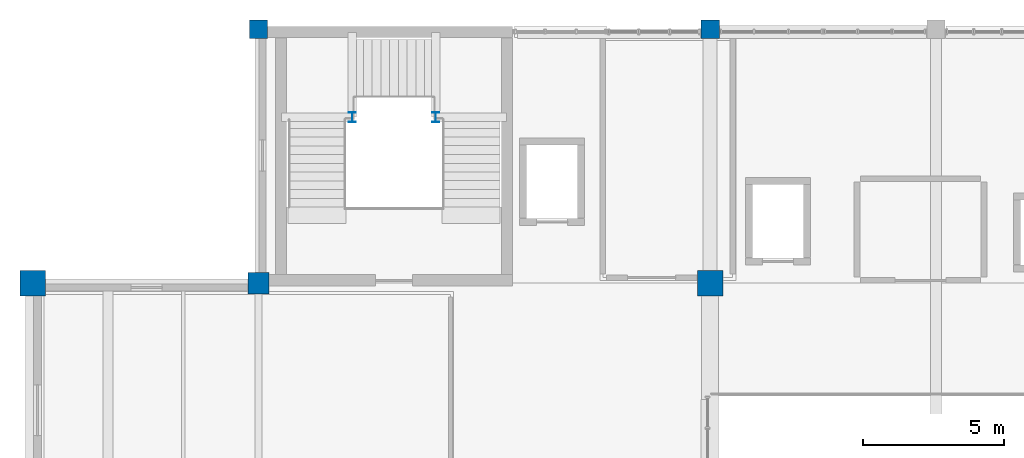
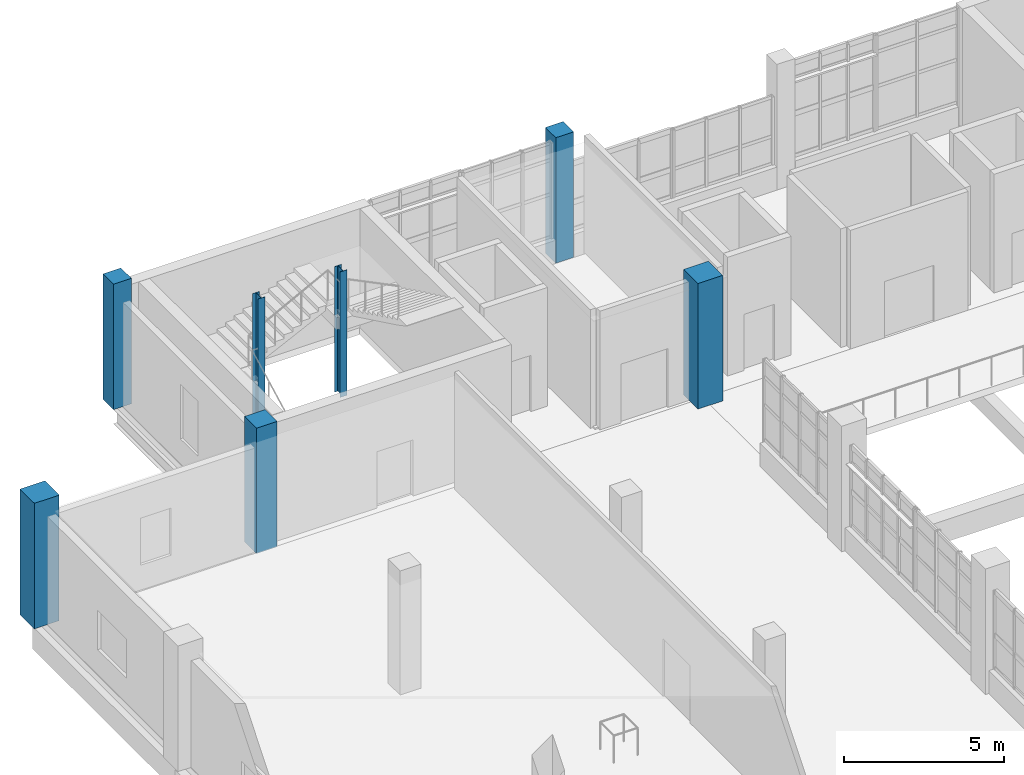
# One storey, part 8 of 102: 7 columns.
"""IFC4 building model written with IfcOpenShell, lengths in metres."""

from ifc_helpers import new_model, si_unit, derived_unit, direction, frame, origin, origin_2d, place, context, subcontext, project, spatial, rectangle, i_section, extrude, material, material_profile, profile_set, type_object, element, save


model = new_model("IFC4")

# Units and contexts
model_context = context("Model", 3, precision=1e-05, world=origin(), true_north=direction((0.0, 1.0)))
body_context = subcontext(model_context, "Body", "Model", "MODEL_VIEW")
ifc_project = project(units=[si_unit("LENGTHUNIT", "METRE"), si_unit("AREAUNIT", "SQUARE_METRE"), si_unit("VOLUMEUNIT", "CUBIC_METRE"), si_unit("PLANEANGLEUNIT", "RADIAN"), si_unit("MASSUNIT", "GRAM", prefix="KILO"), derived_unit("THERMALTRANSMITTANCEUNIT", [(si_unit("POWERUNIT", "WATT"), 1), (si_unit("LENGTHUNIT", "METRE"), -2), (si_unit("THERMODYNAMICTEMPERATUREUNIT", "KELVIN"), -1)])], contexts=[model_context])

# Site, building, storey
site_placement = place(None, origin())
site = spatial("IfcSite", under=ifc_project, at=site_placement, CompositionType="ELEMENT")
building_placement = place(site_placement, origin())
building = spatial("IfcBuilding", under=site, at=building_placement, Name="Nallur Shell Playhouse", CompositionType="ELEMENT")
storey_placement = place(building_placement, frame((0.0, 0.0, 15.0)))
storey = spatial("IfcBuildingStorey", under=building, at=storey_placement, Name="L04", CompositionType="ELEMENT", Elevation=15.0)

# Columns
ifc_material_1 = material(Name="Concrete M35", Category="concrete")
ifc_material_profile_1 = material_profile(ifc_material_1, rectangle(XDim=0.64990234375, YDim=0.64990234375, at=origin_2d()), Name="RC 650x650")
ifc_profile_set_1 = profile_set([ifc_material_profile_1], Name="Concrete M35")
column_type_1 = type_object("IfcColumnType", Name="CL-RC-650", PredefinedType="COLUMN", material=ifc_profile_set_1)
for number, where, z_axis, x_axis, name in (
    (1, (24.0, 83.0, 0.0), (0.0, 0.0, 1.0), (1.0, 0.0, 0.0), "Column 3-K (L04)"),
    (2, (40.0, 83.0, 0.0), (0.0, 0.0, 1.0), (1.0, 0.0, 0.0), "Column 5-K (L04)"),
):
    element("IfcColumn", number, at=place(storey_placement, frame(where, z_axis=z_axis, x_axis=x_axis)), inside=storey, type_object=column_type_1, Name=name, PredefinedType="COLUMN", context=body_context, shape_type="SweptSolid", body=[
        extrude(rectangle(XDim=0.64990234375, YDim=0.64990234375, at=origin_2d()), origin(), (0.0, 0.0, 1.0), 4.800048828125),
    ])
ifc_material_2 = material(Name="Concrete M40", Category="concrete")
ifc_material_profile_2 = material_profile(ifc_material_2, rectangle(XDim=0.75, YDim=0.75, at=origin_2d()), Name="RC 750x750")
ifc_profile_set_2 = profile_set([ifc_material_profile_2], Name="Concrete M40")
column_type_2 = type_object("IfcColumnType", Name="CL-RC-750", PredefinedType="COLUMN", material=ifc_profile_set_2)
column_placement = place(storey_placement, frame((24.0, 74.0, 0.0), z_axis=(0.0, 0.0, 1.0), x_axis=(1.0, 0.0, 0.0)))
element("IfcColumn", 3, at=column_placement, inside=storey, type_object=column_type_2, Name="Column 3-J (L04)", PredefinedType="COLUMN", context=body_context, shape_type="SweptSolid", body=[
    extrude(rectangle(XDim=0.75, YDim=0.75, at=origin_2d()), origin(), (0.0, 0.0, 1.0), 4.800048828125),
])
ifc_material_profile_3 = material_profile(ifc_material_2, rectangle(XDim=0.89990234375, YDim=0.89990234375, at=origin_2d()), Name="RC 900x900")
ifc_profile_set_3 = profile_set([ifc_material_profile_3], Name="Concrete M40")
column_type_3 = type_object("IfcColumnType", Name="CL-RC-900", PredefinedType="COLUMN", material=ifc_profile_set_3)
for number, where, z_axis, x_axis, name in (
    (4, (16.0, 74.0, 0.0), (0.0, 0.0, 1.0), (1.0, 0.0, 0.0), "Column 2-J (L04)"),
    (5, (40.0, 74.0, 0.0), (0.0, 0.0, 1.0), (1.0, 0.0, 0.0), "Column 5-J (L04)"),
):
    element("IfcColumn", number, at=place(storey_placement, frame(where, z_axis=z_axis, x_axis=x_axis)), inside=storey, type_object=column_type_3, Name=name, PredefinedType="COLUMN", context=body_context, shape_type="SweptSolid", body=[
        extrude(rectangle(XDim=0.89990234375, YDim=0.89990234375, at=origin_2d()), origin(), (0.0, 0.0, 1.0), 4.800048828125),
    ])
ifc_material_3 = material(Name="Steel E350", Category="steel")
ifc_material_profile_4 = material_profile(ifc_material_3, i_section(OverallWidth=0.25, OverallDepth=0.35009765625, WebThickness=0.010009765625, FlangeThickness=0.01171875, FilletRadius=0.011962890625, at=origin_2d()), Name="ISHB 350")
ifc_profile_set_4 = profile_set([ifc_material_profile_4], Name="Steel E350")
column_type_4 = type_object("IfcColumnType", Name="CL-ST-ISHB350", PredefinedType="COLUMN", material=ifc_profile_set_4)
for number, where, z_axis, x_axis, name in (
    (6, (27.320068359375, 79.8798828125, 0.0), (0.0, 0.0, 1.0), (1.0, 0.0, 0.0), "Column STW-JC-6-W (L04)"),
    (7, (30.280029296875, 79.8798828125, 0.0), (0.0, 0.0, 1.0), (1.0, 0.0, 0.0), "Column STW-JC-6-E (L04)"),
):
    element("IfcColumn", number, at=place(storey_placement, frame(where, z_axis=z_axis, x_axis=x_axis)), inside=storey, type_object=column_type_4, Name=name, PredefinedType="COLUMN", context=body_context, shape_type="SweptSolid", body=[
        extrude(i_section(OverallWidth=0.25, OverallDepth=0.35009765625, WebThickness=0.010009765625, FlangeThickness=0.01171875, FilletRadius=0.011962890625, at=origin_2d()), origin(), (0.0, 0.0, 1.0), 4.800048828125),
    ])

save(model, "model.ifc")
